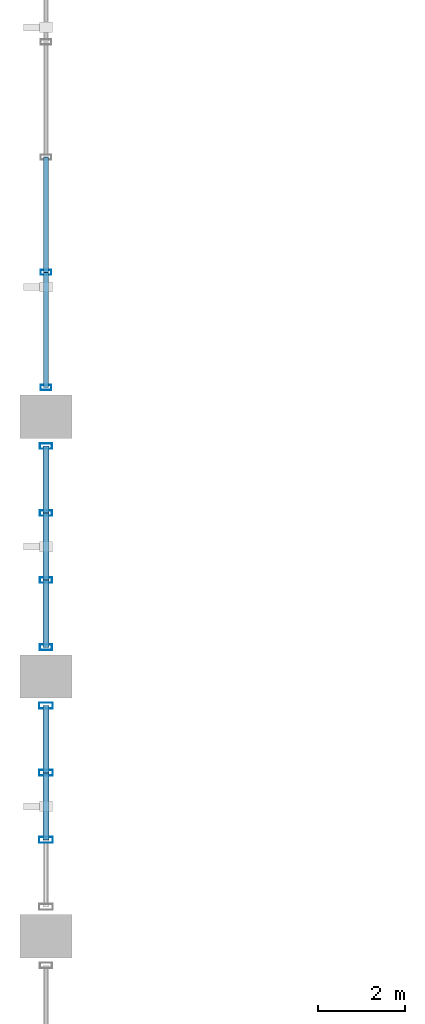
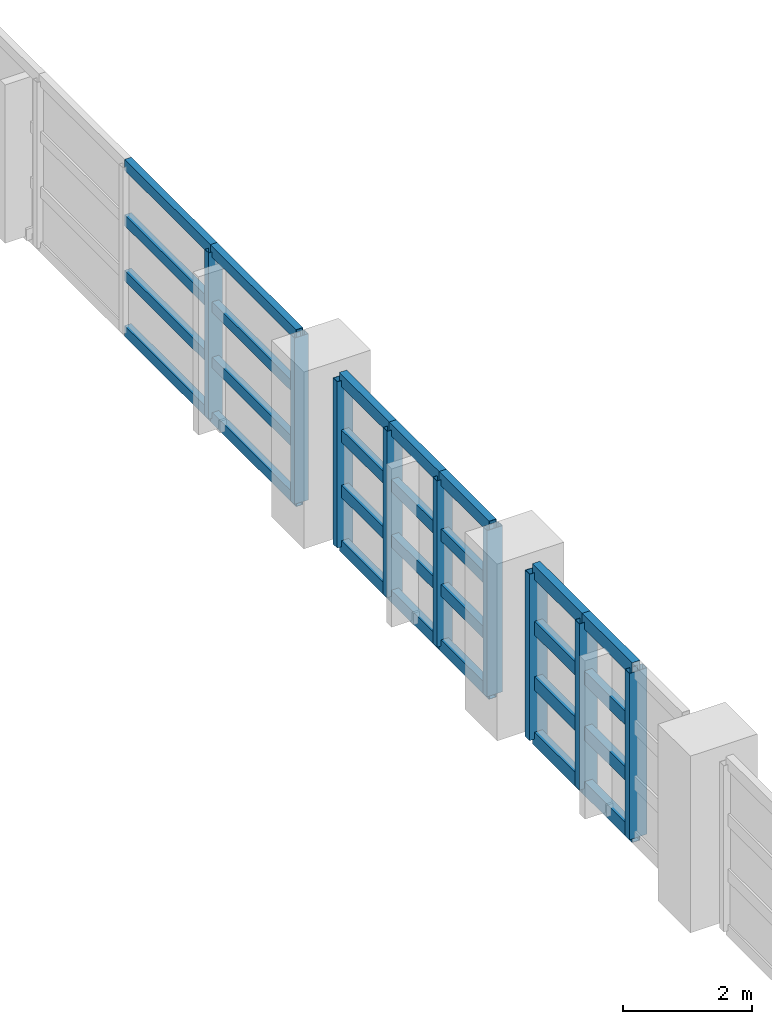
# One storey, part 27 of 116: 37 members, 3 elements without a shape of their own.
"""IFC4 building model written with IfcOpenShell, lengths in metres."""

from ifc_helpers import new_model, si_unit, direction, frame, origin, origin_2d, place, context, subcontext, project, spatial, hollow_rectangle, extrude, material, material_profile, profile_set, type_object, element, aggregate, save


model = new_model("IFC4")

# Units and contexts
model_context = context("Model", 3, precision=1e-05, world=origin(), true_north=direction((0.0, 1.0)))
body_context = subcontext(model_context, "Body", "Model", "MODEL_VIEW")
ifc_project = project(units=[si_unit("LENGTHUNIT", "METRE"), si_unit("AREAUNIT", "SQUARE_METRE"), si_unit("VOLUMEUNIT", "CUBIC_METRE"), si_unit("PLANEANGLEUNIT", "RADIAN"), si_unit("MASSUNIT", "GRAM", prefix="KILO")], contexts=[model_context])

# Site, building, storey
site_placement = place(None, origin())
site = spatial("IfcSite", under=ifc_project, at=site_placement, CompositionType="ELEMENT")
building_placement = place(site_placement, origin())
building = spatial("IfcBuilding", under=site, at=building_placement, Name="Chuanluo Vaults Station", CompositionType="ELEMENT")
storey_placement = place(building_placement, frame((0.0, 0.0, 10.800048828125)))
storey = spatial("IfcBuildingStorey", under=building, at=storey_placement, Name="L02", CompositionType="ELEMENT", Elevation=10.800048828125)

# Curtain wall, members
ifc_material_1 = material(Name="Anodised aluminium 6063-T6", Category="aluminium")
curtain_wall_type_1 = type_object("IfcCurtainWallType", Name="CW-SYS-07", PredefinedType="NOTDEFINED", material=ifc_material_1)
curtain_wall_1_placement = place(storey_placement, origin())
curtain_wall_1 = element("IfcCurtainWall", 1, at=curtain_wall_1_placement, inside=storey, type_object=curtain_wall_type_1, Name="Train shed west clerestory CW 42", PredefinedType="NOTDEFINED")
ifc_material_2 = material(Name="Anodised aluminium 6063-T6", Category="aluminium")
ifc_material_profile_1 = material_profile(ifc_material_2, hollow_rectangle(XDim=0.1201171875, YDim=0.25, WallThickness=0.006103515625, at=origin_2d()))
ifc_profile_set_1 = profile_set([ifc_material_profile_1], Name="Anodised aluminium 6063-T6")
member_type_1 = type_object("IfcMemberType", Name="CWM-160", PredefinedType="MULLION", material=ifc_profile_set_1)
member_1_placement = place(storey_placement, frame((0.0, 42.675048828125, 0.0), z_axis=(0.0, 0.0, 1.0), x_axis=(0.0, 1.0, 0.0)))
member_1 = element("IfcMember", 2, at=member_1_placement, type_object=member_type_1, Name="Train shed west clerestory CW 42 mullion 1", PredefinedType="MULLION", context=body_context, shape_type="SweptSolid", body=[
    extrude(hollow_rectangle(XDim=0.1201171875, YDim=0.25, WallThickness=0.006103515625, at=origin_2d()), origin(), (0.0, 0.0, 1.0), 3.14990234375),
])
member_2_placement = place(storey_placement, frame((0.0, 45.33740234375, 0.0), z_axis=(0.0, 0.0, 1.0), x_axis=(0.0, 1.0, 0.0)))
member_2 = element("IfcMember", 3, at=member_2_placement, type_object=member_type_1, Name="Train shed west clerestory CW 42 mullion 2", PredefinedType="MULLION", context=body_context, shape_type="SweptSolid", body=[
    extrude(hollow_rectangle(XDim=0.1201171875, YDim=0.25, WallThickness=0.006103515625, at=origin_2d()), origin(), (0.0, 0.0, 1.0), 3.14990234375),
])

ifc_material_3 = material(Name="Anodised aluminium 6063-T6", Category="aluminium")
curtain_wall_type_2 = type_object("IfcCurtainWallType", Name="CW-SYS-02", PredefinedType="NOTDEFINED", material=ifc_material_3)
curtain_wall_2_placement = place(storey_placement, origin())
curtain_wall_2 = element("IfcCurtainWall", 4, at=curtain_wall_2_placement, inside=storey, type_object=curtain_wall_type_2, Name="Train shed west clerestory CW 30 part 2", PredefinedType="NOTDEFINED")
ifc_material_4 = material(Name="Anodised aluminium 6063-T6", Category="aluminium")
ifc_material_profile_2 = material_profile(ifc_material_4, hollow_rectangle(XDim=0.1298828125, YDim=0.280029296875, WallThickness=0.007080078125, at=origin_2d()))
ifc_profile_set_2 = profile_set([ifc_material_profile_2], Name="Anodised aluminium 6063-T6")
member_type_2 = type_object("IfcMemberType", Name="CWM-180", PredefinedType="MULLION", material=ifc_profile_set_2)
member_3_placement = place(storey_placement, frame((0.0, 36.675048828125, 0.0), z_axis=(0.0, 0.0, 1.0), x_axis=(0.0, 1.0, 0.0)))
member_3 = element("IfcMember", 5, at=member_3_placement, type_object=member_type_2, Name="Train shed west clerestory CW 30 part 2 mullion 1", PredefinedType="MULLION", context=body_context, shape_type="SweptSolid", body=[
    extrude(hollow_rectangle(XDim=0.1298828125, YDim=0.280029296875, WallThickness=0.007080078125, at=origin_2d()), origin(), (0.0, 0.0, 1.0), 3.14990234375),
])
member_4_placement = place(storey_placement, frame((0.0, 38.22509765625, 0.0), z_axis=(0.0, 0.0, 1.0), x_axis=(0.0, 1.0, 0.0)))
member_4 = element("IfcMember", 6, at=member_4_placement, type_object=member_type_2, Name="Train shed west clerestory CW 30 part 2 mullion 2", PredefinedType="MULLION", context=body_context, shape_type="SweptSolid", body=[
    extrude(hollow_rectangle(XDim=0.1298828125, YDim=0.280029296875, WallThickness=0.007080078125, at=origin_2d()), origin(), (0.0, 0.0, 1.0), 3.14990234375),
])
member_5_placement = place(storey_placement, frame((0.0, 39.77490234375, 0.0), z_axis=(0.0, 0.0, 1.0), x_axis=(0.0, 1.0, 0.0)))
member_5 = element("IfcMember", 7, at=member_5_placement, type_object=member_type_2, Name="Train shed west clerestory CW 30 part 2 mullion 3", PredefinedType="MULLION", context=body_context, shape_type="SweptSolid", body=[
    extrude(hollow_rectangle(XDim=0.1298828125, YDim=0.280029296875, WallThickness=0.007080078125, at=origin_2d()), origin(), (0.0, 0.0, 1.0), 3.14990234375),
])
member_6_placement = place(storey_placement, frame((0.0, 41.324951171875, 0.0), z_axis=(0.0, 0.0, 1.0), x_axis=(0.0, 1.0, 0.0)))
member_6 = element("IfcMember", 8, at=member_6_placement, type_object=member_type_2, Name="Train shed west clerestory CW 30 part 2 mullion 4", PredefinedType="MULLION", context=body_context, shape_type="SweptSolid", body=[
    extrude(hollow_rectangle(XDim=0.1298828125, YDim=0.280029296875, WallThickness=0.007080078125, at=origin_2d()), origin(), (0.0, 0.0, 1.0), 3.14990234375),
])

ifc_material_5 = material(Name="Anodised aluminium 6063-T6", Category="aluminium")
curtain_wall_type_3 = type_object("IfcCurtainWallType", Name="CW-SYS-01", PredefinedType="NOTDEFINED", material=ifc_material_5)
curtain_wall_3_placement = place(storey_placement, origin())
curtain_wall_3 = element("IfcCurtainWall", 9, at=curtain_wall_3_placement, inside=storey, type_object=curtain_wall_type_3, Name="Train shed west clerestory CW 30 part 1", PredefinedType="NOTDEFINED")
ifc_material_6 = material(Name="Anodised aluminium 6063-T6", Category="aluminium")
ifc_material_profile_3 = material_profile(ifc_material_6, hollow_rectangle(XDim=0.139892578125, YDim=0.320068359375, WallThickness=0.008056640625, at=origin_2d()))
ifc_profile_set_3 = profile_set([ifc_material_profile_3], Name="Anodised aluminium 6063-T6")
member_type_3 = type_object("IfcMemberType", Name="CWM-220", PredefinedType="MULLION", material=ifc_profile_set_3)
member_7_placement = place(storey_placement, frame((0.0, 32.22509765625, 0.0), z_axis=(0.0, 0.0, 1.0), x_axis=(0.0, 1.0, 0.0)))
member_7 = element("IfcMember", 10, at=member_7_placement, type_object=member_type_3, Name="Train shed west clerestory CW 30 part 1 mullion 2", PredefinedType="MULLION", context=body_context, shape_type="SweptSolid", body=[
    extrude(hollow_rectangle(XDim=0.139892578125, YDim=0.320068359375, WallThickness=0.008056640625, at=origin_2d()), origin(), (0.0, 0.0, 1.0), 3.14990234375),
])
member_8_placement = place(storey_placement, frame((0.0, 33.77490234375, 0.0), z_axis=(0.0, 0.0, 1.0), x_axis=(0.0, 1.0, 0.0)))
member_8 = element("IfcMember", 11, at=member_8_placement, type_object=member_type_3, Name="Train shed west clerestory CW 30 part 1 mullion 3", PredefinedType="MULLION", context=body_context, shape_type="SweptSolid", body=[
    extrude(hollow_rectangle(XDim=0.139892578125, YDim=0.320068359375, WallThickness=0.008056640625, at=origin_2d()), origin(), (0.0, 0.0, 1.0), 3.14990234375),
])
member_9_placement = place(storey_placement, frame((0.0, 35.324951171875, 0.0), z_axis=(0.0, 0.0, 1.0), x_axis=(0.0, 1.0, 0.0)))
member_9 = element("IfcMember", 12, at=member_9_placement, type_object=member_type_3, Name="Train shed west clerestory CW 30 part 1 mullion 4", PredefinedType="MULLION", context=body_context, shape_type="SweptSolid", body=[
    extrude(hollow_rectangle(XDim=0.139892578125, YDim=0.320068359375, WallThickness=0.008056640625, at=origin_2d()), origin(), (0.0, 0.0, 1.0), 3.14990234375),
])

# Member
ifc_material_7 = material(Name="Anodised aluminium 6063-T6", Category="aluminium")
ifc_material_profile_4 = material_profile(ifc_material_7, hollow_rectangle(XDim=0.1201171875, YDim=0.205078125, WallThickness=0.006103515625, at=origin_2d()))
ifc_profile_set_4 = profile_set([ifc_material_profile_4], Name="Anodised aluminium 6063-T6")
member_type_4 = type_object("IfcMemberType", Name="CWT-130", PredefinedType="USERDEFINED", material=ifc_profile_set_4)
member_10_placement = place(storey_placement, frame((0.0, 42.675048828125, 0.0), z_axis=(0.0, 1.0, 0.0), x_axis=(-1.0, 0.0, 0.0)))
member_10 = element("IfcMember", 13, at=member_10_placement, type_object=member_type_4, Name="Train shed west clerestory CW 42 transom 1.1", ObjectType="TRANSOM", PredefinedType="USERDEFINED", context=body_context, shape_type="SweptSolid", body=[
    extrude(hollow_rectangle(XDim=0.1201171875, YDim=0.205078125, WallThickness=0.006103515625, at=origin_2d()), origin(), (0.0, 0.0, 1.0), 2.662353515625),
])

member_11_placement = place(storey_placement, frame((0.0, 42.675048828125, 1.050048828125), z_axis=(0.0, 1.0, 0.0), x_axis=(-1.0, 0.0, 0.0)))
member_11 = element("IfcMember", 14, at=member_11_placement, type_object=member_type_4, Name="Train shed west clerestory CW 42 transom 1.2", ObjectType="TRANSOM", PredefinedType="USERDEFINED", context=body_context, shape_type="SweptSolid", body=[
    extrude(hollow_rectangle(XDim=0.1201171875, YDim=0.205078125, WallThickness=0.006103515625, at=origin_2d()), origin(), (0.0, 0.0, 1.0), 2.662353515625),
])

member_12_placement = place(storey_placement, frame((0.0, 42.675048828125, 2.099853515625), z_axis=(0.0, 1.0, 0.0), x_axis=(-1.0, 0.0, 0.0)))
member_12 = element("IfcMember", 15, at=member_12_placement, type_object=member_type_4, Name="Train shed west clerestory CW 42 transom 1.3", ObjectType="TRANSOM", PredefinedType="USERDEFINED", context=body_context, shape_type="SweptSolid", body=[
    extrude(hollow_rectangle(XDim=0.1201171875, YDim=0.205078125, WallThickness=0.006103515625, at=origin_2d()), origin(), (0.0, 0.0, 1.0), 2.662353515625),
])

member_13_placement = place(storey_placement, frame((0.0, 42.675048828125, 3.14990234375), z_axis=(0.0, 1.0, 0.0), x_axis=(-1.0, 0.0, 0.0)))
member_13 = element("IfcMember", 16, at=member_13_placement, type_object=member_type_4, Name="Train shed west clerestory CW 42 transom 1.4", ObjectType="TRANSOM", PredefinedType="USERDEFINED", context=body_context, shape_type="SweptSolid", body=[
    extrude(hollow_rectangle(XDim=0.1201171875, YDim=0.205078125, WallThickness=0.006103515625, at=origin_2d()), origin(), (0.0, 0.0, 1.0), 2.662353515625),
])

member_14_placement = place(storey_placement, frame((0.0, 45.33740234375, 0.0), z_axis=(0.0, 1.0, 0.0), x_axis=(-1.0, 0.0, 0.0)))
member_14 = element("IfcMember", 17, at=member_14_placement, type_object=member_type_4, Name="Train shed west clerestory CW 42 transom 2.1", ObjectType="TRANSOM", PredefinedType="USERDEFINED", context=body_context, shape_type="SweptSolid", body=[
    extrude(hollow_rectangle(XDim=0.1201171875, YDim=0.205078125, WallThickness=0.006103515625, at=origin_2d()), origin(), (0.0, 0.0, 1.0), 2.66259765625),
])

member_15_placement = place(storey_placement, frame((0.0, 45.33740234375, 1.050048828125), z_axis=(0.0, 1.0, 0.0), x_axis=(-1.0, 0.0, 0.0)))
member_15 = element("IfcMember", 18, at=member_15_placement, type_object=member_type_4, Name="Train shed west clerestory CW 42 transom 2.2", ObjectType="TRANSOM", PredefinedType="USERDEFINED", context=body_context, shape_type="SweptSolid", body=[
    extrude(hollow_rectangle(XDim=0.1201171875, YDim=0.205078125, WallThickness=0.006103515625, at=origin_2d()), origin(), (0.0, 0.0, 1.0), 2.66259765625),
])

member_16_placement = place(storey_placement, frame((0.0, 45.33740234375, 2.099853515625), z_axis=(0.0, 1.0, 0.0), x_axis=(-1.0, 0.0, 0.0)))
member_16 = element("IfcMember", 19, at=member_16_placement, type_object=member_type_4, Name="Train shed west clerestory CW 42 transom 2.3", ObjectType="TRANSOM", PredefinedType="USERDEFINED", context=body_context, shape_type="SweptSolid", body=[
    extrude(hollow_rectangle(XDim=0.1201171875, YDim=0.205078125, WallThickness=0.006103515625, at=origin_2d()), origin(), (0.0, 0.0, 1.0), 2.66259765625),
])

member_17_placement = place(storey_placement, frame((0.0, 45.33740234375, 3.14990234375), z_axis=(0.0, 1.0, 0.0), x_axis=(-1.0, 0.0, 0.0)))
member_17 = element("IfcMember", 20, at=member_17_placement, type_object=member_type_4, Name="Train shed west clerestory CW 42 transom 2.4", ObjectType="TRANSOM", PredefinedType="USERDEFINED", context=body_context, shape_type="SweptSolid", body=[
    extrude(hollow_rectangle(XDim=0.1201171875, YDim=0.205078125, WallThickness=0.006103515625, at=origin_2d()), origin(), (0.0, 0.0, 1.0), 2.66259765625),
])

aggregate(curtain_wall_1, [member_1, member_2, member_10, member_11, member_12, member_13, member_14, member_15, member_16, member_17])

ifc_material_8 = material(Name="Anodised aluminium 6063-T6", Category="aluminium")
ifc_material_profile_5 = material_profile(ifc_material_8, hollow_rectangle(XDim=0.1298828125, YDim=0.22998046875, WallThickness=0.006103515625, at=origin_2d()))
ifc_profile_set_5 = profile_set([ifc_material_profile_5], Name="Anodised aluminium 6063-T6")
member_type_5 = type_object("IfcMemberType", Name="CWT-150", PredefinedType="USERDEFINED", material=ifc_profile_set_5)
member_18_placement = place(storey_placement, frame((0.0, 36.675048828125, 0.0), z_axis=(0.0, 1.0, 0.0), x_axis=(-1.0, 0.0, 0.0)))
member_18 = element("IfcMember", 21, at=member_18_placement, type_object=member_type_5, Name="Train shed west clerestory CW 30 part 2 transom 1.1", ObjectType="TRANSOM", PredefinedType="USERDEFINED", context=body_context, shape_type="SweptSolid", body=[
    extrude(hollow_rectangle(XDim=0.1298828125, YDim=0.22998046875, WallThickness=0.006103515625, at=origin_2d()), origin(), (0.0, 0.0, 1.0), 1.550048828125),
])

member_19_placement = place(storey_placement, frame((0.0, 36.675048828125, 1.050048828125), z_axis=(0.0, 1.0, 0.0), x_axis=(-1.0, 0.0, 0.0)))
member_19 = element("IfcMember", 22, at=member_19_placement, type_object=member_type_5, Name="Train shed west clerestory CW 30 part 2 transom 1.2", ObjectType="TRANSOM", PredefinedType="USERDEFINED", context=body_context, shape_type="SweptSolid", body=[
    extrude(hollow_rectangle(XDim=0.1298828125, YDim=0.22998046875, WallThickness=0.006103515625, at=origin_2d()), origin(), (0.0, 0.0, 1.0), 1.550048828125),
])

member_20_placement = place(storey_placement, frame((0.0, 36.675048828125, 2.099853515625), z_axis=(0.0, 1.0, 0.0), x_axis=(-1.0, 0.0, 0.0)))
member_20 = element("IfcMember", 23, at=member_20_placement, type_object=member_type_5, Name="Train shed west clerestory CW 30 part 2 transom 1.3", ObjectType="TRANSOM", PredefinedType="USERDEFINED", context=body_context, shape_type="SweptSolid", body=[
    extrude(hollow_rectangle(XDim=0.1298828125, YDim=0.22998046875, WallThickness=0.006103515625, at=origin_2d()), origin(), (0.0, 0.0, 1.0), 1.550048828125),
])

member_21_placement = place(storey_placement, frame((0.0, 36.675048828125, 3.14990234375), z_axis=(0.0, 1.0, 0.0), x_axis=(-1.0, 0.0, 0.0)))
member_21 = element("IfcMember", 24, at=member_21_placement, type_object=member_type_5, Name="Train shed west clerestory CW 30 part 2 transom 1.4", ObjectType="TRANSOM", PredefinedType="USERDEFINED", context=body_context, shape_type="SweptSolid", body=[
    extrude(hollow_rectangle(XDim=0.1298828125, YDim=0.22998046875, WallThickness=0.006103515625, at=origin_2d()), origin(), (0.0, 0.0, 1.0), 1.550048828125),
])

member_22_placement = place(storey_placement, frame((0.0, 38.22509765625, 0.0), z_axis=(0.0, 1.0, 0.0), x_axis=(-1.0, 0.0, 0.0)))
member_22 = element("IfcMember", 25, at=member_22_placement, type_object=member_type_5, Name="Train shed west clerestory CW 30 part 2 transom 2.1", ObjectType="TRANSOM", PredefinedType="USERDEFINED", context=body_context, shape_type="SweptSolid", body=[
    extrude(hollow_rectangle(XDim=0.1298828125, YDim=0.22998046875, WallThickness=0.006103515625, at=origin_2d()), origin(), (0.0, 0.0, 1.0), 1.5498046875),
])

member_23_placement = place(storey_placement, frame((0.0, 38.22509765625, 1.050048828125), z_axis=(0.0, 1.0, 0.0), x_axis=(-1.0, 0.0, 0.0)))
member_23 = element("IfcMember", 26, at=member_23_placement, type_object=member_type_5, Name="Train shed west clerestory CW 30 part 2 transom 2.2", ObjectType="TRANSOM", PredefinedType="USERDEFINED", context=body_context, shape_type="SweptSolid", body=[
    extrude(hollow_rectangle(XDim=0.1298828125, YDim=0.22998046875, WallThickness=0.006103515625, at=origin_2d()), origin(), (0.0, 0.0, 1.0), 1.5498046875),
])

member_24_placement = place(storey_placement, frame((0.0, 38.22509765625, 2.099853515625), z_axis=(0.0, 1.0, 0.0), x_axis=(-1.0, 0.0, 0.0)))
member_24 = element("IfcMember", 27, at=member_24_placement, type_object=member_type_5, Name="Train shed west clerestory CW 30 part 2 transom 2.3", ObjectType="TRANSOM", PredefinedType="USERDEFINED", context=body_context, shape_type="SweptSolid", body=[
    extrude(hollow_rectangle(XDim=0.1298828125, YDim=0.22998046875, WallThickness=0.006103515625, at=origin_2d()), origin(), (0.0, 0.0, 1.0), 1.5498046875),
])

member_25_placement = place(storey_placement, frame((0.0, 38.22509765625, 3.14990234375), z_axis=(0.0, 1.0, 0.0), x_axis=(-1.0, 0.0, 0.0)))
member_25 = element("IfcMember", 28, at=member_25_placement, type_object=member_type_5, Name="Train shed west clerestory CW 30 part 2 transom 2.4", ObjectType="TRANSOM", PredefinedType="USERDEFINED", context=body_context, shape_type="SweptSolid", body=[
    extrude(hollow_rectangle(XDim=0.1298828125, YDim=0.22998046875, WallThickness=0.006103515625, at=origin_2d()), origin(), (0.0, 0.0, 1.0), 1.5498046875),
])

member_26_placement = place(storey_placement, frame((0.0, 39.77490234375, 0.0), z_axis=(0.0, 1.0, 0.0), x_axis=(-1.0, 0.0, 0.0)))
member_26 = element("IfcMember", 29, at=member_26_placement, type_object=member_type_5, Name="Train shed west clerestory CW 30 part 2 transom 3.1", ObjectType="TRANSOM", PredefinedType="USERDEFINED", context=body_context, shape_type="SweptSolid", body=[
    extrude(hollow_rectangle(XDim=0.1298828125, YDim=0.22998046875, WallThickness=0.006103515625, at=origin_2d()), origin(), (0.0, 0.0, 1.0), 1.550048828125),
])

member_27_placement = place(storey_placement, frame((0.0, 39.77490234375, 1.050048828125), z_axis=(0.0, 1.0, 0.0), x_axis=(-1.0, 0.0, 0.0)))
member_27 = element("IfcMember", 30, at=member_27_placement, type_object=member_type_5, Name="Train shed west clerestory CW 30 part 2 transom 3.2", ObjectType="TRANSOM", PredefinedType="USERDEFINED", context=body_context, shape_type="SweptSolid", body=[
    extrude(hollow_rectangle(XDim=0.1298828125, YDim=0.22998046875, WallThickness=0.006103515625, at=origin_2d()), origin(), (0.0, 0.0, 1.0), 1.550048828125),
])

member_28_placement = place(storey_placement, frame((0.0, 39.77490234375, 2.099853515625), z_axis=(0.0, 1.0, 0.0), x_axis=(-1.0, 0.0, 0.0)))
member_28 = element("IfcMember", 31, at=member_28_placement, type_object=member_type_5, Name="Train shed west clerestory CW 30 part 2 transom 3.3", ObjectType="TRANSOM", PredefinedType="USERDEFINED", context=body_context, shape_type="SweptSolid", body=[
    extrude(hollow_rectangle(XDim=0.1298828125, YDim=0.22998046875, WallThickness=0.006103515625, at=origin_2d()), origin(), (0.0, 0.0, 1.0), 1.550048828125),
])

member_29_placement = place(storey_placement, frame((0.0, 39.77490234375, 3.14990234375), z_axis=(0.0, 1.0, 0.0), x_axis=(-1.0, 0.0, 0.0)))
member_29 = element("IfcMember", 32, at=member_29_placement, type_object=member_type_5, Name="Train shed west clerestory CW 30 part 2 transom 3.4", ObjectType="TRANSOM", PredefinedType="USERDEFINED", context=body_context, shape_type="SweptSolid", body=[
    extrude(hollow_rectangle(XDim=0.1298828125, YDim=0.22998046875, WallThickness=0.006103515625, at=origin_2d()), origin(), (0.0, 0.0, 1.0), 1.550048828125),
])

aggregate(curtain_wall_2, [member_3, member_4, member_5, member_6, member_18, member_19, member_20, member_21, member_22, member_23, member_24, member_25, member_26, member_27, member_28, member_29])

ifc_material_9 = material(Name="Anodised aluminium 6063-T6", Category="aluminium")
ifc_material_profile_6 = material_profile(ifc_material_9, hollow_rectangle(XDim=0.139892578125, YDim=0.260009765625, WallThickness=0.007080078125, at=origin_2d()))
ifc_profile_set_6 = profile_set([ifc_material_profile_6], Name="Anodised aluminium 6063-T6")
member_type_6 = type_object("IfcMemberType", Name="CWT-180", PredefinedType="USERDEFINED", material=ifc_profile_set_6)
member_30_placement = place(storey_placement, frame((0.0, 32.22509765625, 0.0), z_axis=(0.0, 1.0, 0.0), x_axis=(-1.0, 0.0, 0.0)))
member_30 = element("IfcMember", 33, at=member_30_placement, type_object=member_type_6, Name="Train shed west clerestory CW 30 part 1 transom 2.1", ObjectType="TRANSOM", PredefinedType="USERDEFINED", context=body_context, shape_type="SweptSolid", body=[
    extrude(hollow_rectangle(XDim=0.139892578125, YDim=0.260009765625, WallThickness=0.007080078125, at=origin_2d()), origin(), (0.0, 0.0, 1.0), 1.5498046875),
])

member_31_placement = place(storey_placement, frame((0.0, 32.22509765625, 1.050048828125), z_axis=(0.0, 1.0, 0.0), x_axis=(-1.0, 0.0, 0.0)))
member_31 = element("IfcMember", 34, at=member_31_placement, type_object=member_type_6, Name="Train shed west clerestory CW 30 part 1 transom 2.2", ObjectType="TRANSOM", PredefinedType="USERDEFINED", context=body_context, shape_type="SweptSolid", body=[
    extrude(hollow_rectangle(XDim=0.139892578125, YDim=0.260009765625, WallThickness=0.007080078125, at=origin_2d()), origin(), (0.0, 0.0, 1.0), 1.5498046875),
])

member_32_placement = place(storey_placement, frame((0.0, 32.22509765625, 2.099853515625), z_axis=(0.0, 1.0, 0.0), x_axis=(-1.0, 0.0, 0.0)))
member_32 = element("IfcMember", 35, at=member_32_placement, type_object=member_type_6, Name="Train shed west clerestory CW 30 part 1 transom 2.3", ObjectType="TRANSOM", PredefinedType="USERDEFINED", context=body_context, shape_type="SweptSolid", body=[
    extrude(hollow_rectangle(XDim=0.139892578125, YDim=0.260009765625, WallThickness=0.007080078125, at=origin_2d()), origin(), (0.0, 0.0, 1.0), 1.5498046875),
])

member_33_placement = place(storey_placement, frame((0.0, 32.22509765625, 3.14990234375), z_axis=(0.0, 1.0, 0.0), x_axis=(-1.0, 0.0, 0.0)))
member_33 = element("IfcMember", 36, at=member_33_placement, type_object=member_type_6, Name="Train shed west clerestory CW 30 part 1 transom 2.4", ObjectType="TRANSOM", PredefinedType="USERDEFINED", context=body_context, shape_type="SweptSolid", body=[
    extrude(hollow_rectangle(XDim=0.139892578125, YDim=0.260009765625, WallThickness=0.007080078125, at=origin_2d()), origin(), (0.0, 0.0, 1.0), 1.5498046875),
])

member_34_placement = place(storey_placement, frame((0.0, 33.77490234375, 0.0), z_axis=(0.0, 1.0, 0.0), x_axis=(-1.0, 0.0, 0.0)))
member_34 = element("IfcMember", 37, at=member_34_placement, type_object=member_type_6, Name="Train shed west clerestory CW 30 part 1 transom 3.1", ObjectType="TRANSOM", PredefinedType="USERDEFINED", context=body_context, shape_type="SweptSolid", body=[
    extrude(hollow_rectangle(XDim=0.139892578125, YDim=0.260009765625, WallThickness=0.007080078125, at=origin_2d()), origin(), (0.0, 0.0, 1.0), 1.550048828125),
])

member_35_placement = place(storey_placement, frame((0.0, 33.77490234375, 1.050048828125), z_axis=(0.0, 1.0, 0.0), x_axis=(-1.0, 0.0, 0.0)))
member_35 = element("IfcMember", 38, at=member_35_placement, type_object=member_type_6, Name="Train shed west clerestory CW 30 part 1 transom 3.2", ObjectType="TRANSOM", PredefinedType="USERDEFINED", context=body_context, shape_type="SweptSolid", body=[
    extrude(hollow_rectangle(XDim=0.139892578125, YDim=0.260009765625, WallThickness=0.007080078125, at=origin_2d()), origin(), (0.0, 0.0, 1.0), 1.550048828125),
])

member_36_placement = place(storey_placement, frame((0.0, 33.77490234375, 2.099853515625), z_axis=(0.0, 1.0, 0.0), x_axis=(-1.0, 0.0, 0.0)))
member_36 = element("IfcMember", 39, at=member_36_placement, type_object=member_type_6, Name="Train shed west clerestory CW 30 part 1 transom 3.3", ObjectType="TRANSOM", PredefinedType="USERDEFINED", context=body_context, shape_type="SweptSolid", body=[
    extrude(hollow_rectangle(XDim=0.139892578125, YDim=0.260009765625, WallThickness=0.007080078125, at=origin_2d()), origin(), (0.0, 0.0, 1.0), 1.550048828125),
])

member_37_placement = place(storey_placement, frame((0.0, 33.77490234375, 3.14990234375), z_axis=(0.0, 1.0, 0.0), x_axis=(-1.0, 0.0, 0.0)))
member_37 = element("IfcMember", 40, at=member_37_placement, type_object=member_type_6, Name="Train shed west clerestory CW 30 part 1 transom 3.4", ObjectType="TRANSOM", PredefinedType="USERDEFINED", context=body_context, shape_type="SweptSolid", body=[
    extrude(hollow_rectangle(XDim=0.139892578125, YDim=0.260009765625, WallThickness=0.007080078125, at=origin_2d()), origin(), (0.0, 0.0, 1.0), 1.550048828125),
])

aggregate(curtain_wall_3, [member_7, member_8, member_9, member_30, member_31, member_32, member_33, member_34, member_35, member_36, member_37])

save(model, "model.ifc")
